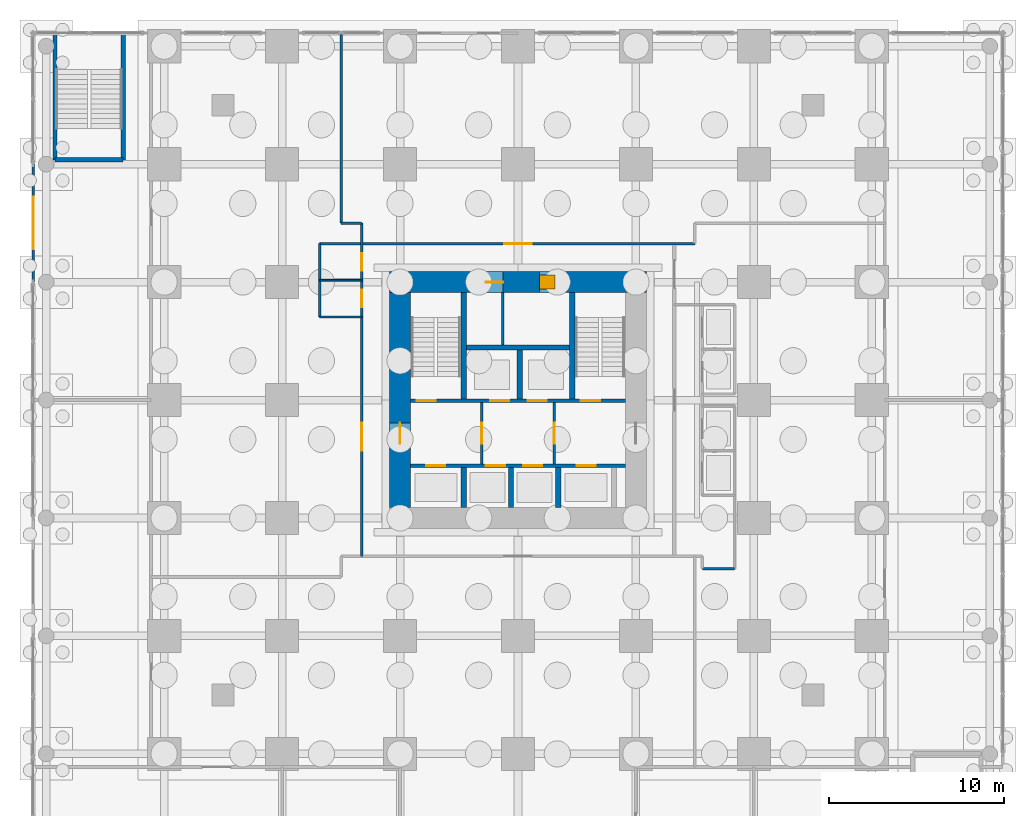
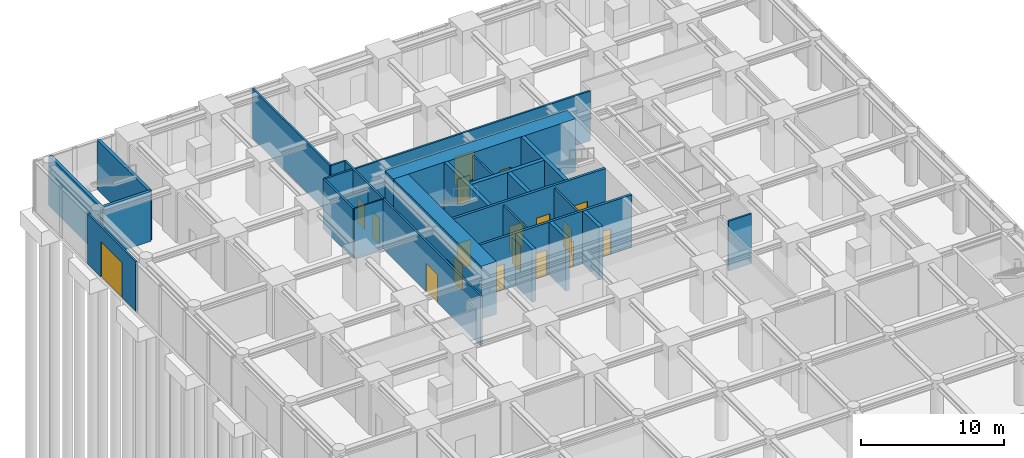
# One storey, part 10 of 14: 26 walls, 18 doors, 18 openings.
"""IFC4 building model written with IfcOpenShell, lengths in metres."""

from ifc_helpers import new_model, si_unit, direction, frame, frame_2d, origin, place, context, subcontext, project, spatial, rectangle, extrude, material, layer, layer_set, type_object, element, fill, save


model = new_model("IFC4")

# Units and contexts
model_context = context("Model", 3, precision=1e-05, world=origin(), true_north=direction((0.0, 1.0)))
body_context = subcontext(model_context, "Body", "Model", "MODEL_VIEW")
ifc_project = project(units=[si_unit("LENGTHUNIT", "METRE"), si_unit("AREAUNIT", "SQUARE_METRE"), si_unit("VOLUMEUNIT", "CUBIC_METRE"), si_unit("PLANEANGLEUNIT", "RADIAN"), si_unit("MASSUNIT", "GRAM", prefix="KILO")], contexts=[model_context])

# Site, building, storey
site_placement = place(None, origin())
site = spatial("IfcSite", under=ifc_project, at=site_placement, CompositionType="ELEMENT")
building_placement = place(site_placement, origin())
building = spatial("IfcBuilding", under=site, at=building_placement, Name="Nyansa Garden Tower", CompositionType="ELEMENT")
storey_placement = place(building_placement, origin())
storey = spatial("IfcBuildingStorey", under=building, at=storey_placement, Name="L00", CompositionType="ELEMENT", Elevation=0.0)

# Wall, opening, door
ifc_material_1 = material(Name="Black aluminium framed glazed screen", Category="aluminium")
ifc_layer_1 = layer(ifc_material_1, 0.14990234375)
ifc_layer_set_1 = layer_set([ifc_layer_1], Name="Balcony screen wall BW150")
wall_type_1 = type_object("IfcWallType", Name="Balcony screen wall BW150", PredefinedType="SOLIDWALL", material=ifc_layer_set_1)
wall_1_placement = place(storey_placement, frame((-7.5, 27.0, 0.0), z_axis=(0.0, 0.0, 1.0), x_axis=(0.0, 1.0, 0.0)))
wall_1 = element("IfcWall", 1, at=wall_1_placement, inside=storey, type_object=wall_type_1, Name="Glazed screen wall L00 W", PredefinedType="SOLIDWALL", context=body_context, shape_type="SweptSolid", body=[
    extrude(rectangle(XDim=6.75, YDim=0.14990234375, at=frame_2d((3.375, 0.0))), origin(), (0.0, 0.0, 1.0), 4.25),
])
opening_1_placement = place(wall_1_placement, frame((1.875, 0.0, 0.0)))
opening_1 = element("IfcOpeningElement", 2, at=opening_1_placement, cuts=wall_1, Name="Opening D40", PredefinedType="OPENING", context=body_context, shape_type="SweptSolid", body=[
    extrude(rectangle(XDim=3.0, YDim=3.0, at=frame_2d((1.5, 1.5))), frame((0.0, 0.0849609375, 0.0), z_axis=(0.0, -1.0, 0.0), x_axis=(1.0, 0.0, 0.0)), (0.0, 0.0, 1.0), 0.169921875),
])
ifc_material_2 = material(Name="Galvanised steel roller shutter, powder coated", Category="steel")
door_type_1 = type_object("IfcDoorType", Name="Service roller shutter D40 3000x3000", OperationType="ROLLINGUP", PredefinedType="DOOR", material=ifc_material_2)
door_1_placement = place(opening_1_placement, origin())
door_1 = element("IfcDoor", 3, at=door_1_placement, inside=storey, type_object=door_type_1, Name="Service roller shutter", OperationType="ROLLINGUP", OverallHeight=3.0, OverallWidth=3.0, PredefinedType="DOOR", context=body_context, shape_type="SweptSolid", body=[
    extrude(rectangle(XDim=3.0, YDim=3.0, at=frame_2d((1.5, 1.5))), frame((0.0, 0.02490234375, 0.0), z_axis=(0.0, -1.0, 0.0), x_axis=(1.0, 0.0, 0.0)), (0.0, 0.0, 1.0), 0.050048828125),
])
fill(opening_1, door_1)

# Wall, openings, doors
ifc_material_3 = material(Name="Concrete C70/85", Category="concrete")
ifc_layer_2 = layer(ifc_material_3, 0.199951171875)
ifc_layer_set_2 = layer_set([ifc_layer_2], Name="Core inner wall CI200")
wall_type_2 = type_object("IfcWallType", Name="Core inner wall CI200", PredefinedType="SHEAR", material=ifc_layer_set_2)
wall_2_placement = place(storey_placement, frame((14.10009765625, 16.5, 0.0), z_axis=(0.0, 0.0, 1.0), x_axis=(1.0, 0.0, 0.0)))
wall_2 = element("IfcWall", 4, at=wall_2_placement, inside=storey, type_object=wall_type_2, Name="Core inner wall L00", PredefinedType="SHEAR", context=body_context, shape_type="SweptSolid", body=[
    extrude(rectangle(XDim=12.2998046875, YDim=0.199951171875, at=frame_2d((6.14990234375, 0.0))), origin(), (0.0, 0.0, 1.0), 4.5),
])
opening_2_placement = place(wall_2_placement, frame((0.89990234375, 0.0, 0.0)))
opening_2 = element("IfcOpeningElement", 5, at=opening_2_placement, cuts=wall_2, Name="Opening LD-F", PredefinedType="OPENING", context=body_context, shape_type="SweptSolid", body=[
    extrude(rectangle(XDim=1.10009765625, YDim=2.199951171875, at=frame_2d((0.550048828125, 1.10009765625))), frame((0.0, 0.10986328125, 0.0), z_axis=(0.0, -1.0, 0.0), x_axis=(1.0, 0.0, 0.0)), (0.0, 0.0, 1.0), 0.219970703125),
])
opening_3_placement = place(wall_2_placement, frame((4.31005859375, 0.0, 0.0)))
opening_3 = element("IfcOpeningElement", 6, at=opening_3_placement, cuts=wall_2, Name="Opening LD-B", PredefinedType="OPENING", context=body_context, shape_type="SweptSolid", body=[
    extrude(rectangle(XDim=1.10009765625, YDim=2.199951171875, at=frame_2d((0.550048828125, 1.10009765625))), frame((0.0, 0.10986328125, 0.0), z_axis=(0.0, -1.0, 0.0), x_axis=(1.0, 0.0, 0.0)), (0.0, 0.0, 1.0), 0.219970703125),
])
opening_4_placement = place(wall_2_placement, frame((6.449951171875, 0.0, 0.0)))
opening_4 = element("IfcOpeningElement", 7, at=opening_4_placement, cuts=wall_2, Name="Opening LD-B", PredefinedType="OPENING", context=body_context, shape_type="SweptSolid", body=[
    extrude(rectangle(XDim=1.10009765625, YDim=2.199951171875, at=frame_2d((0.550048828125, 1.10009765625))), frame((0.0, 0.10986328125, 0.0), z_axis=(0.0, -1.0, 0.0), x_axis=(1.0, 0.0, 0.0)), (0.0, 0.0, 1.0), 0.219970703125),
])
opening_5_placement = place(wall_2_placement, frame((9.5, 0.0, 0.0)))
opening_5 = element("IfcOpeningElement", 8, at=opening_5_placement, cuts=wall_2, Name="Opening LD-F", PredefinedType="OPENING", context=body_context, shape_type="SweptSolid", body=[
    extrude(rectangle(XDim=1.10009765625, YDim=2.199951171875, at=frame_2d((0.550048828125, 1.10009765625))), frame((0.0, 0.10986328125, 0.0), z_axis=(0.0, -1.0, 0.0), x_axis=(1.0, 0.0, 0.0)), (0.0, 0.0, 1.0), 0.219970703125),
])
ifc_material_4 = material(Name="Stainless steel centre-opening landing door of the high-rise lift, E 120", Category="steel")
door_type_2 = type_object("IfcDoorType", Name="Lift landing door LD-B 1100x2200", OperationType="DOUBLE_DOOR_SLIDING", PredefinedType="DOOR", material=ifc_material_4)
door_2_placement = place(opening_3_placement, origin())
door_2 = element("IfcDoor", 9, at=door_2_placement, inside=storey, type_object=door_type_2, Name="Landing door B1", OperationType="DOUBLE_DOOR_SLIDING", OverallHeight=2.199951171875, OverallWidth=1.10009765625, PredefinedType="DOOR", context=body_context, shape_type="SweptSolid", body=[
    extrude(rectangle(XDim=1.10009765625, YDim=2.199951171875, at=frame_2d((0.550048828125, 1.10009765625))), frame((0.0, 0.02490234375, 0.0), z_axis=(0.0, -1.0, 0.0), x_axis=(1.0, 0.0, 0.0)), (0.0, 0.0, 1.0), 0.050048828125),
])
fill(opening_3, door_2)
door_3_placement = place(opening_4_placement, origin())
door_3 = element("IfcDoor", 10, at=door_3_placement, inside=storey, type_object=door_type_2, Name="Landing door B2", OperationType="DOUBLE_DOOR_SLIDING", OverallHeight=2.199951171875, OverallWidth=1.10009765625, PredefinedType="DOOR", context=body_context, shape_type="SweptSolid", body=[
    extrude(rectangle(XDim=1.10009765625, YDim=2.199951171875, at=frame_2d((0.550048828125, 1.10009765625))), frame((0.0, 0.02490234375, 0.0), z_axis=(0.0, -1.0, 0.0), x_axis=(1.0, 0.0, 0.0)), (0.0, 0.0, 1.0), 0.050048828125),
])
fill(opening_4, door_3)
ifc_material_5 = material(Name="Stainless steel centre-opening landing door of the firefighting lift, EN 81-72, E 120", Category="steel")
door_type_3 = type_object("IfcDoorType", Name="Lift landing door LD-F 1100x2200", OperationType="DOUBLE_DOOR_SLIDING", PredefinedType="DOOR", material=ifc_material_5)
door_4_placement = place(opening_2_placement, origin())
door_4 = element("IfcDoor", 11, at=door_4_placement, inside=storey, type_object=door_type_3, Name="Landing door FF1", OperationType="DOUBLE_DOOR_SLIDING", OverallHeight=2.199951171875, OverallWidth=1.10009765625, PredefinedType="DOOR", context=body_context, shape_type="SweptSolid", body=[
    extrude(rectangle(XDim=1.10009765625, YDim=2.199951171875, at=frame_2d((0.550048828125, 1.10009765625))), frame((0.0, 0.02490234375, 0.0), z_axis=(0.0, -1.0, 0.0), x_axis=(1.0, 0.0, 0.0)), (0.0, 0.0, 1.0), 0.050048828125),
])
fill(opening_2, door_4)
door_5_placement = place(opening_5_placement, origin())
door_5 = element("IfcDoor", 12, at=door_5_placement, inside=storey, type_object=door_type_3, Name="Landing door FF2", OperationType="DOUBLE_DOOR_SLIDING", OverallHeight=2.199951171875, OverallWidth=1.10009765625, PredefinedType="DOOR", context=body_context, shape_type="SweptSolid", body=[
    extrude(rectangle(XDim=1.10009765625, YDim=2.199951171875, at=frame_2d((0.550048828125, 1.10009765625))), frame((0.0, 0.02490234375, 0.0), z_axis=(0.0, -1.0, 0.0), x_axis=(1.0, 0.0, 0.0)), (0.0, 0.0, 1.0), 0.050048828125),
])
fill(opening_5, door_5)

wall_3_placement = place(storey_placement, frame((14.10009765625, 20.199951171875, 0.0), z_axis=(0.0, 0.0, 1.0), x_axis=(1.0, 0.0, 0.0)))
wall_3 = element("IfcWall", 13, at=wall_3_placement, inside=storey, type_object=wall_type_2, Name="Core inner wall L00", PredefinedType="SHEAR", context=body_context, shape_type="SweptSolid", body=[
    extrude(rectangle(XDim=12.2998046875, YDim=0.199951171875, at=frame_2d((6.14990234375, 0.0))), origin(), (0.0, 0.0, 1.0), 4.5),
])
opening_6_placement = place(wall_3_placement, frame((4.56005859375, 0.0, 0.0)))
opening_6 = element("IfcOpeningElement", 14, at=opening_6_placement, cuts=wall_3, Name="Opening LD-B", PredefinedType="OPENING", context=body_context, shape_type="SweptSolid", body=[
    extrude(rectangle(XDim=1.10009765625, YDim=2.199951171875, at=frame_2d((0.550048828125, 1.10009765625))), frame((0.0, 0.10986328125, 0.0), z_axis=(0.0, -1.0, 0.0), x_axis=(1.0, 0.0, 0.0)), (0.0, 0.0, 1.0), 0.219970703125),
])
opening_7_placement = place(wall_3_placement, frame((6.699951171875, 0.0, 0.0)))
opening_7 = element("IfcOpeningElement", 15, at=opening_7_placement, cuts=wall_3, Name="Opening LD-B", PredefinedType="OPENING", context=body_context, shape_type="SweptSolid", body=[
    extrude(rectangle(XDim=1.10009765625, YDim=2.199951171875, at=frame_2d((0.550048828125, 1.10009765625))), frame((0.0, 0.10986328125, 0.0), z_axis=(0.0, -1.0, 0.0), x_axis=(1.0, 0.0, 0.0)), (0.0, 0.0, 1.0), 0.219970703125),
])
opening_8_placement = place(wall_3_placement, frame((0.35009765625, 0.0, 0.0)))
opening_8 = element("IfcOpeningElement", 16, at=opening_8_placement, cuts=wall_3, Name="Opening D05", PredefinedType="OPENING", context=body_context, shape_type="SweptSolid", body=[
    extrude(rectangle(XDim=1.10009765625, YDim=2.199951171875, at=frame_2d((0.550048828125, 1.10009765625))), frame((0.0, 0.10986328125, 0.0), z_axis=(0.0, -1.0, 0.0), x_axis=(1.0, 0.0, 0.0)), (0.0, 0.0, 1.0), 0.219970703125),
])
opening_9_placement = place(wall_3_placement, frame((9.75, 0.0, 0.0)))
opening_9 = element("IfcOpeningElement", 17, at=opening_9_placement, cuts=wall_3, Name="Opening D05", PredefinedType="OPENING", context=body_context, shape_type="SweptSolid", body=[
    extrude(rectangle(XDim=1.10009765625, YDim=2.199951171875, at=frame_2d((0.550048828125, 1.10009765625))), frame((0.0, 0.10986328125, 0.0), z_axis=(0.0, -1.0, 0.0), x_axis=(1.0, 0.0, 0.0)), (0.0, 0.0, 1.0), 0.219970703125),
])
door_6_placement = place(opening_6_placement, origin())
door_6 = element("IfcDoor", 18, at=door_6_placement, inside=storey, type_object=door_type_2, Name="Landing door B3", OperationType="DOUBLE_DOOR_SLIDING", OverallHeight=2.199951171875, OverallWidth=1.10009765625, PredefinedType="DOOR", context=body_context, shape_type="SweptSolid", body=[
    extrude(rectangle(XDim=1.10009765625, YDim=2.199951171875, at=frame_2d((0.550048828125, 1.10009765625))), frame((0.0, 0.02490234375, 0.0), z_axis=(0.0, -1.0, 0.0), x_axis=(1.0, 0.0, 0.0)), (0.0, 0.0, 1.0), 0.050048828125),
])
fill(opening_6, door_6)
door_7_placement = place(opening_7_placement, origin())
door_7 = element("IfcDoor", 19, at=door_7_placement, inside=storey, type_object=door_type_2, Name="Landing door B4", OperationType="DOUBLE_DOOR_SLIDING", OverallHeight=2.199951171875, OverallWidth=1.10009765625, PredefinedType="DOOR", context=body_context, shape_type="SweptSolid", body=[
    extrude(rectangle(XDim=1.10009765625, YDim=2.199951171875, at=frame_2d((0.550048828125, 1.10009765625))), frame((0.0, 0.02490234375, 0.0), z_axis=(0.0, -1.0, 0.0), x_axis=(1.0, 0.0, 0.0)), (0.0, 0.0, 1.0), 0.050048828125),
])
fill(opening_7, door_7)
ifc_material_6 = material(Name="Steel door, 120 minute fire resisting", Category="steel")
door_type_4 = type_object("IfcDoorType", Name="Stair door D05 1100x2200", OperationType="SINGLE_SWING_LEFT", PredefinedType="DOOR", material=ifc_material_6)
door_8_placement = place(opening_8_placement, origin())
door_8 = element("IfcDoor", 20, at=door_8_placement, inside=storey, type_object=door_type_4, Name="Stair S1 door", OperationType="SINGLE_SWING_LEFT", OverallHeight=2.199951171875, OverallWidth=1.10009765625, PredefinedType="DOOR", context=body_context, shape_type="SweptSolid", body=[
    extrude(rectangle(XDim=1.10009765625, YDim=2.199951171875, at=frame_2d((0.550048828125, 1.10009765625))), frame((0.0, 0.02490234375, 0.0), z_axis=(0.0, -1.0, 0.0), x_axis=(1.0, 0.0, 0.0)), (0.0, 0.0, 1.0), 0.050048828125),
])
fill(opening_8, door_8)
door_9_placement = place(opening_9_placement, origin())
door_9 = element("IfcDoor", 21, at=door_9_placement, inside=storey, type_object=door_type_4, Name="Stair S2 door", OperationType="SINGLE_SWING_LEFT", OverallHeight=2.199951171875, OverallWidth=1.10009765625, PredefinedType="DOOR", context=body_context, shape_type="SweptSolid", body=[
    extrude(rectangle(XDim=1.10009765625, YDim=2.199951171875, at=frame_2d((0.550048828125, 1.10009765625))), frame((0.0, 0.02490234375, 0.0), z_axis=(0.0, -1.0, 0.0), x_axis=(1.0, 0.0, 0.0)), (0.0, 0.0, 1.0), 0.050048828125),
])
fill(opening_9, door_9)

# Walls
ifc_material_7 = material(Name="Concrete C70/85", Category="concrete")
ifc_layer_3 = layer(ifc_material_7, 0.300048828125)
ifc_layer_set_3 = layer_set([ifc_layer_3], Name="Core inner wall CI300")
wall_type_3 = type_object("IfcWallType", Name="Core inner wall CI300", PredefinedType="SHEAR", material=ifc_layer_set_3)
for number, where, z_axis, x_axis, name in (
    (22, (17.14990234375, 20.300048828125, 0.0), (0.0, 0.0, 1.0), (0.0, 1.0, 0.0), "Core inner wall L00"),
    (23, (23.35009765625, 20.300048828125, 0.0), (0.0, 0.0, 1.0), (0.0, 1.0, 0.0), "Core inner wall L00"),
):
    element("IfcWall", number, at=place(storey_placement, frame(where, z_axis=z_axis, x_axis=x_axis)), inside=storey, type_object=wall_type_3, Name=name, PredefinedType="SHEAR", context=body_context, shape_type="SweptSolid", body=[
        extrude(rectangle(XDim=6.099853515625, YDim=0.300048828125, at=frame_2d((3.0498046875, 0.0))), origin(), (0.0, 0.0, 1.0), 4.5),
    ])
wall_4_placement = place(storey_placement, frame((20.35009765625, 20.300048828125, 0.0), z_axis=(0.0, 0.0, 1.0), x_axis=(0.0, 1.0, 0.0)))
element("IfcWall", 24, at=wall_4_placement, inside=storey, type_object=wall_type_3, Name="Core inner wall L00", PredefinedType="SHEAR", context=body_context, shape_type="SweptSolid", body=[
    extrude(rectangle(XDim=2.800048828125, YDim=0.300048828125, at=frame_2d((1.39990234375, 0.0))), origin(), (0.0, 0.0, 1.0), 4.5),
])
wall_5_placement = place(storey_placement, frame((17.300048828125, 23.25, 0.0), z_axis=(0.0, 0.0, 1.0), x_axis=(1.0, 0.0, 0.0)))
element("IfcWall", 25, at=wall_5_placement, inside=storey, type_object=wall_type_3, Name="Core inner wall L00", PredefinedType="SHEAR", context=body_context, shape_type="SweptSolid", body=[
    extrude(rectangle(XDim=5.89990234375, YDim=0.300048828125, at=frame_2d((2.949951171875, 0.0))), origin(), (0.0, 0.0, 1.0), 4.5),
])
for number, where, z_axis, x_axis, name in (
    (26, (17.14990234375, 14.10009765625, 0.0), (0.0, 0.0, 1.0), (0.0, 1.0, 0.0), "Core inner wall L00"),
    (27, (19.85009765625, 14.10009765625, 0.0), (0.0, 0.0, 1.0), (0.0, 1.0, 0.0), "Core inner wall L00"),
    (28, (22.550048828125, 14.10009765625, 0.0), (0.0, 0.0, 1.0), (0.0, 1.0, 0.0), "Core inner wall L00"),
):
    element("IfcWall", number, at=place(storey_placement, frame(where, z_axis=z_axis, x_axis=x_axis)), inside=storey, type_object=wall_type_3, Name=name, PredefinedType="SHEAR", context=body_context, shape_type="SweptSolid", body=[
        extrude(rectangle(XDim=2.2998046875, YDim=0.300048828125, at=frame_2d((1.14990234375, 0.0))), origin(), (0.0, 0.0, 1.0), 4.5),
    ])

# Wall, openings, doors
ifc_material_8 = material(Name="Concrete C80/95", Category="concrete")
ifc_layer_4 = layer(ifc_material_8, 1.199951171875)
ifc_layer_set_4 = layer_set([ifc_layer_4], Name="Core wall CW1200")
wall_type_4 = type_object("IfcWallType", Name="Core wall CW1200", PredefinedType="SHEAR", material=ifc_layer_set_4)
wall_6_placement = place(storey_placement, frame((27.60009765625, 27.0, 0.0), z_axis=(0.0, 0.0, 1.0), x_axis=(-1.0, 0.0, 0.0)))
wall_6 = element("IfcWall", 29, at=wall_6_placement, inside=storey, type_object=wall_type_4, Name="Core wall N L00", PredefinedType="SHEAR", context=body_context, shape_type="SweptSolid", body=[
    extrude(rectangle(XDim=14.7001953125, YDim=1.199951171875, at=frame_2d((7.35009765625, 0.0))), origin(), (0.0, 0.0, 1.0), 4.5),
])
opening_10_placement = place(wall_6_placement, frame((5.22509765625, 0.0, 0.0)))
opening_10 = element("IfcOpeningElement", 30, at=opening_10_placement, cuts=wall_6, Name="Opening D15", PredefinedType="OPENING", context=body_context, shape_type="SweptSolid", body=[
    extrude(rectangle(XDim=0.89990234375, YDim=2.199951171875, at=frame_2d((0.449951171875, 1.10009765625))), frame((0.0, 0.60986328125, 0.0), z_axis=(0.0, -1.0, 0.0), x_axis=(1.0, 0.0, 0.0)), (0.0, 0.0, 1.0), 1.219970703125),
])
opening_11_placement = place(wall_6_placement, frame((8.199951171875, 0.0, 0.0)))
opening_11 = element("IfcOpeningElement", 31, at=opening_11_placement, cuts=wall_6, Name="Opening D07", PredefinedType="OPENING", context=body_context, shape_type="SweptSolid", body=[
    extrude(rectangle(XDim=1.0, YDim=2.199951171875, at=frame_2d((0.5, 1.10009765625))), frame((0.0, 0.60986328125, 0.0), z_axis=(0.0, -1.0, 0.0), x_axis=(1.0, 0.0, 0.0)), (0.0, 0.0, 1.0), 1.219970703125),
])
ifc_material_9 = material(Name="Timber flush door, 60 minute fire resisting, self-closing", Category="wood")
door_type_5 = type_object("IfcDoorType", Name="Core room door D15 900x2200", OperationType="SINGLE_SWING_LEFT", PredefinedType="DOOR", material=ifc_material_9)
door_10_placement = place(opening_10_placement, origin())
door_10 = element("IfcDoor", 32, at=door_10_placement, inside=storey, type_object=door_type_5, Name="Core room door", OperationType="SINGLE_SWING_LEFT", OverallHeight=2.199951171875, OverallWidth=0.89990234375, PredefinedType="DOOR", context=body_context, shape_type="SweptSolid", body=[
    extrude(rectangle(XDim=0.89990234375, YDim=2.199951171875, at=frame_2d((0.449951171875, 1.10009765625))), frame((0.0, 0.39990234375, 0.0), z_axis=(0.0, -1.0, 0.0), x_axis=(1.0, 0.0, 0.0)), (0.0, 0.0, 1.0), 0.800048828125),
])
fill(opening_10, door_10)
ifc_material_10 = material(Name="Steel door, 120 minute fire resisting", Category="steel")
door_type_6 = type_object("IfcDoorType", Name="Riser door D07 1000x2200", OperationType="SINGLE_SWING_LEFT", PredefinedType="DOOR", material=ifc_material_10)
door_11_placement = place(opening_11_placement, origin())
door_11 = element("IfcDoor", 33, at=door_11_placement, inside=storey, type_object=door_type_6, Name="Riser and refuse room door", OperationType="SINGLE_SWING_LEFT", OverallHeight=2.199951171875, OverallWidth=1.0, PredefinedType="DOOR", context=body_context, shape_type="SweptSolid", body=[
    extrude(rectangle(XDim=1.0, YDim=2.199951171875, at=frame_2d((0.5, 1.10009765625))), frame((0.0, 0.02490234375, 0.0), z_axis=(0.0, -1.0, 0.0), x_axis=(1.0, 0.0, 0.0)), (0.0, 0.0, 1.0), 0.050048828125),
])
fill(opening_11, door_11)

# Wall, opening, door
wall_7_placement = place(storey_placement, frame((13.5, 26.39990234375, 0.0), z_axis=(0.0, 0.0, 1.0), x_axis=(0.0, -1.0, 0.0)))
wall_7 = element("IfcWall", 34, at=wall_7_placement, inside=storey, type_object=wall_type_4, Name="Core wall W L00", PredefinedType="SHEAR", context=body_context, shape_type="SweptSolid", body=[
    extrude(rectangle(XDim=12.2998046875, YDim=1.199951171875, at=frame_2d((6.14990234375, 0.0))), origin(), (0.0, 0.0, 1.0), 4.5),
])
opening_12_placement = place(wall_7_placement, frame((7.449951171875, 0.0, 0.0)))
opening_12 = element("IfcOpeningElement", 35, at=opening_12_placement, cuts=wall_7, Name="Opening D06", PredefinedType="OPENING", context=body_context, shape_type="SweptSolid", body=[
    extrude(rectangle(XDim=1.199951171875, YDim=2.199951171875, at=frame_2d((0.60009765625, 1.10009765625))), frame((0.0, 0.60986328125, 0.0), z_axis=(0.0, -1.0, 0.0), x_axis=(1.0, 0.0, 0.0)), (0.0, 0.0, 1.0), 1.219970703125),
])
ifc_material_11 = material(Name="Steel door, 120 minute fire resisting", Category="steel")
door_type_7 = type_object("IfcDoorType", Name="Lobby door D06 1200x2200", OperationType="DOUBLE_DOOR_SINGLE_SWING", PredefinedType="DOOR", material=ifc_material_11)
door_12_placement = place(opening_12_placement, origin())
door_12 = element("IfcDoor", 36, at=door_12_placement, inside=storey, type_object=door_type_7, Name="Lift lobby door west", OperationType="DOUBLE_DOOR_SINGLE_SWING", OverallHeight=2.199951171875, OverallWidth=1.199951171875, PredefinedType="DOOR", context=body_context, shape_type="SweptSolid", body=[
    extrude(rectangle(XDim=1.199951171875, YDim=2.199951171875, at=frame_2d((0.60009765625, 1.10009765625))), frame((0.0, 0.02490234375, 0.0), z_axis=(0.0, -1.0, 0.0), x_axis=(1.0, 0.0, 0.0)), (0.0, 0.0, 1.0), 0.050048828125),
])
fill(opening_12, door_12)

ifc_material_12 = material(Name="Blockwork, plastered both sides", Category="masonry")
ifc_layer_5 = layer(ifc_material_12, 0.14990234375)
ifc_layer_set_5 = layer_set([ifc_layer_5], Name="Partition PW150")
wall_type_5 = type_object("IfcWallType", Name="Partition PW150", PredefinedType="PARTITIONING", material=ifc_layer_set_5)
wall_8_placement = place(storey_placement, frame((18.18505859375, 16.60009765625, 0.0), z_axis=(0.0, 0.0, 1.0), x_axis=(0.0, 1.0, 0.0)))
wall_8 = element("IfcWall", 37, at=wall_8_placement, inside=storey, type_object=wall_type_5, Name="Partition", PredefinedType="PARTITIONING", context=body_context, shape_type="SweptSolid", body=[
    extrude(rectangle(XDim=3.5, YDim=0.14990234375, at=frame_2d((1.75, 0.0))), origin(), (0.0, 0.0, 1.0), 4.25),
])
opening_13_placement = place(wall_8_placement, frame((1.14990234375, 0.0, 0.0)))
opening_13 = element("IfcOpeningElement", 38, at=opening_13_placement, cuts=wall_8, Name="Opening D06", PredefinedType="OPENING", context=body_context, shape_type="SweptSolid", body=[
    extrude(rectangle(XDim=1.199951171875, YDim=2.199951171875, at=frame_2d((0.60009765625, 1.10009765625))), frame((0.0, 0.0849609375, 0.0), z_axis=(0.0, -1.0, 0.0), x_axis=(1.0, 0.0, 0.0)), (0.0, 0.0, 1.0), 0.169921875),
])
door_13_placement = place(opening_13_placement, origin())
door_13 = element("IfcDoor", 39, at=door_13_placement, inside=storey, type_object=door_type_7, Name="Passenger lift lobby door", OperationType="DOUBLE_DOOR_SINGLE_SWING", OverallHeight=2.199951171875, OverallWidth=1.199951171875, PredefinedType="DOOR", context=body_context, shape_type="SweptSolid", body=[
    extrude(rectangle(XDim=1.199951171875, YDim=2.199951171875, at=frame_2d((0.60009765625, 1.10009765625))), frame((0.0, 0.02490234375, 0.0), z_axis=(0.0, -1.0, 0.0), x_axis=(1.0, 0.0, 0.0)), (0.0, 0.0, 1.0), 0.050048828125),
])
fill(opening_13, door_13)

wall_9_placement = place(storey_placement, frame((22.31494140625, 16.60009765625, 0.0), z_axis=(0.0, 0.0, 1.0), x_axis=(0.0, 1.0, 0.0)))
wall_9 = element("IfcWall", 40, at=wall_9_placement, inside=storey, type_object=wall_type_5, Name="Partition", PredefinedType="PARTITIONING", context=body_context, shape_type="SweptSolid", body=[
    extrude(rectangle(XDim=3.5, YDim=0.14990234375, at=frame_2d((1.75, 0.0))), origin(), (0.0, 0.0, 1.0), 4.25),
])
opening_14_placement = place(wall_9_placement, frame((1.14990234375, 0.0, 0.0)))
opening_14 = element("IfcOpeningElement", 41, at=opening_14_placement, cuts=wall_9, Name="Opening D06", PredefinedType="OPENING", context=body_context, shape_type="SweptSolid", body=[
    extrude(rectangle(XDim=1.199951171875, YDim=2.199951171875, at=frame_2d((0.60009765625, 1.10009765625))), frame((0.0, 0.0849609375, 0.0), z_axis=(0.0, -1.0, 0.0), x_axis=(1.0, 0.0, 0.0)), (0.0, 0.0, 1.0), 0.169921875),
])
door_14_placement = place(opening_14_placement, origin())
door_14 = element("IfcDoor", 42, at=door_14_placement, inside=storey, type_object=door_type_7, Name="Passenger lift lobby door", OperationType="DOUBLE_DOOR_SINGLE_SWING", OverallHeight=2.199951171875, OverallWidth=1.199951171875, PredefinedType="DOOR", context=body_context, shape_type="SweptSolid", body=[
    extrude(rectangle(XDim=1.199951171875, YDim=2.199951171875, at=frame_2d((0.60009765625, 1.10009765625))), frame((0.0, 0.02490234375, 0.0), z_axis=(0.0, -1.0, 0.0), x_axis=(1.0, 0.0, 0.0)), (0.0, 0.0, 1.0), 0.050048828125),
])
fill(opening_14, door_14)

# Walls
wall_10_placement = place(storey_placement, frame((19.375, 23.39990234375, 0.0), z_axis=(0.0, 0.0, 1.0), x_axis=(0.0, 1.0, 0.0)))
element("IfcWall", 43, at=wall_10_placement, inside=storey, type_object=wall_type_5, Name="Partition", PredefinedType="PARTITIONING", context=body_context, shape_type="SweptSolid", body=[
    extrude(rectangle(XDim=3.0, YDim=0.14990234375, at=frame_2d((1.5, 0.0))), origin(), (0.0, 0.0, 1.0), 4.25),
])
wall_11_placement = place(storey_placement, frame((8.89990234375, 25.0, 0.0), z_axis=(0.0, 0.0, 1.0), x_axis=(0.0, 1.0, 0.0)))
element("IfcWall", 44, at=wall_11_placement, inside=storey, type_object=wall_type_5, Name="Partition", PredefinedType="PARTITIONING", context=body_context, shape_type="SweptSolid", body=[
    extrude(rectangle(XDim=4.199951171875, YDim=0.14990234375, at=frame_2d((2.10009765625, 0.0))), origin(), (0.0, 0.0, 1.0), 4.25),
])

# Wall, opening, door
wall_12_placement = place(storey_placement, frame((8.89990234375, 29.199951171875, 0.0), z_axis=(0.0, 0.0, 1.0), x_axis=(1.0, 0.0, 0.0)))
wall_12 = element("IfcWall", 45, at=wall_12_placement, inside=storey, type_object=wall_type_5, Name="Partition", PredefinedType="PARTITIONING", context=body_context, shape_type="SweptSolid", body=[
    extrude(rectangle(XDim=21.47509765625, YDim=0.14990234375, at=frame_2d((10.737548828125, 0.0))), origin(), (0.0, 0.0, 1.0), 4.25),
])
opening_15_placement = place(wall_12_placement, frame((10.550048828125, 0.0, 0.0)))
opening_15 = element("IfcOpeningElement", 46, at=opening_15_placement, cuts=wall_12, Name="Opening D12", PredefinedType="OPENING", context=body_context, shape_type="SweptSolid", body=[
    extrude(rectangle(XDim=1.60009765625, YDim=2.39990234375, at=frame_2d((0.800048828125, 1.199951171875))), frame((0.0, 0.0849609375, 0.0), z_axis=(0.0, -1.0, 0.0), x_axis=(1.0, 0.0, 0.0)), (0.0, 0.0, 1.0), 0.169921875),
])
ifc_material_13 = material(Name="Black aluminium glazed door, 60 minute fire resisting", Category="aluminium")
door_type_8 = type_object("IfcDoorType", Name="Amenity door D12 1600x2400", OperationType="DOUBLE_DOOR_SINGLE_SWING", PredefinedType="DOOR", material=ifc_material_13)
door_15_placement = place(opening_15_placement, origin())
door_15 = element("IfcDoor", 47, at=door_15_placement, inside=storey, type_object=door_type_8, Name="Door L00-022", OperationType="DOUBLE_DOOR_SINGLE_SWING", OverallHeight=2.39990234375, OverallWidth=1.60009765625, PredefinedType="DOOR", context=body_context, shape_type="SweptSolid", body=[
    extrude(rectangle(XDim=1.60009765625, YDim=2.39990234375, at=frame_2d((0.800048828125, 1.199951171875))), frame((0.0, 0.02490234375, 0.0), z_axis=(0.0, -1.0, 0.0), x_axis=(1.0, 0.0, 0.0)), (0.0, 0.0, 1.0), 0.050048828125),
])
fill(opening_15, door_15)

# Walls
wall_13_placement = place(storey_placement, frame((10.125, 30.375, 0.0), z_axis=(0.0, 0.0, 1.0), x_axis=(0.0, 1.0, 0.0)))
element("IfcWall", 48, at=wall_13_placement, inside=storey, type_object=wall_type_5, Name="Partition", PredefinedType="PARTITIONING", context=body_context, shape_type="SweptSolid", body=[
    extrude(rectangle(XDim=10.85888671875, YDim=0.14990234375, at=frame_2d((5.429443359375, 0.0))), origin(), (0.0, 0.0, 1.0), 4.25),
])
wall_14_placement = place(storey_placement, frame((10.125, 30.375, 0.0), z_axis=(0.0, 0.0, 1.0), x_axis=(1.0, 0.0, 0.0)))
element("IfcWall", 49, at=wall_14_placement, inside=storey, type_object=wall_type_5, Name="Partition", PredefinedType="PARTITIONING", context=body_context, shape_type="SweptSolid", body=[
    extrude(rectangle(XDim=1.175048828125, YDim=0.14990234375, at=frame_2d((0.58740234375, 0.0))), origin(), (0.0, 0.0, 1.0), 4.25),
])

# Wall, openings, doors
wall_15_placement = place(storey_placement, frame((11.300048828125, 11.300048828125, 0.0), z_axis=(0.0, 0.0, 1.0), x_axis=(0.0, 1.0, 0.0)))
wall_15 = element("IfcWall", 50, at=wall_15_placement, inside=storey, type_object=wall_type_5, Name="Partition", PredefinedType="PARTITIONING", context=body_context, shape_type="SweptSolid", body=[
    extrude(rectangle(XDim=19.074951171875, YDim=0.14990234375, at=frame_2d((9.53759765625, 0.0))), origin(), (0.0, 0.0, 1.0), 4.25),
])
opening_16_placement = place(wall_15_placement, frame((14.25, 0.0, 0.0)))
opening_16 = element("IfcOpeningElement", 51, at=opening_16_placement, cuts=wall_15, Name="Opening D08", PredefinedType="OPENING", context=body_context, shape_type="SweptSolid", body=[
    extrude(rectangle(XDim=1.0, YDim=2.199951171875, at=frame_2d((0.5, 1.10009765625))), frame((0.0, 0.0849609375, 0.0), z_axis=(0.0, -1.0, 0.0), x_axis=(1.0, 0.0, 0.0)), (0.0, 0.0, 1.0), 0.169921875),
])
opening_17_placement = place(wall_15_placement, frame((16.35009765625, 0.0, 0.0)))
opening_17 = element("IfcOpeningElement", 52, at=opening_17_placement, cuts=wall_15, Name="Opening D08", PredefinedType="OPENING", context=body_context, shape_type="SweptSolid", body=[
    extrude(rectangle(XDim=1.0, YDim=2.199951171875, at=frame_2d((0.5, 1.10009765625))), frame((0.0, 0.0849609375, 0.0), z_axis=(0.0, -1.0, 0.0), x_axis=(1.0, 0.0, 0.0)), (0.0, 0.0, 1.0), 0.169921875),
])
opening_18_placement = place(wall_15_placement, frame((6.050048828125, 0.0, 0.0)))
opening_18 = element("IfcOpeningElement", 53, at=opening_18_placement, cuts=wall_15, Name="Opening D12", PredefinedType="OPENING", context=body_context, shape_type="SweptSolid", body=[
    extrude(rectangle(XDim=1.60009765625, YDim=2.39990234375, at=frame_2d((0.800048828125, 1.199951171875))), frame((0.0, 0.0849609375, 0.0), z_axis=(0.0, -1.0, 0.0), x_axis=(1.0, 0.0, 0.0)), (0.0, 0.0, 1.0), 0.169921875),
])
ifc_material_14 = material(Name="Timber flush door, outward opening", Category="wood")
door_type_9 = type_object("IfcDoorType", Name="Accessible WC door D08 1000x2200", OperationType="SINGLE_SWING_LEFT", PredefinedType="DOOR", material=ifc_material_14)
door_16_placement = place(opening_16_placement, origin())
door_16 = element("IfcDoor", 54, at=door_16_placement, inside=storey, type_object=door_type_9, Name="Door L00-023", OperationType="SINGLE_SWING_LEFT", OverallHeight=2.199951171875, OverallWidth=1.0, PredefinedType="DOOR", context=body_context, shape_type="SweptSolid", body=[
    extrude(rectangle(XDim=1.0, YDim=2.199951171875, at=frame_2d((0.5, 1.10009765625))), frame((0.0, 0.02490234375, 0.0), z_axis=(0.0, -1.0, 0.0), x_axis=(1.0, 0.0, 0.0)), (0.0, 0.0, 1.0), 0.050048828125),
])
fill(opening_16, door_16)
door_17_placement = place(opening_17_placement, origin())
door_17 = element("IfcDoor", 55, at=door_17_placement, inside=storey, type_object=door_type_9, Name="Door L00-024", OperationType="SINGLE_SWING_LEFT", OverallHeight=2.199951171875, OverallWidth=1.0, PredefinedType="DOOR", context=body_context, shape_type="SweptSolid", body=[
    extrude(rectangle(XDim=1.0, YDim=2.199951171875, at=frame_2d((0.5, 1.10009765625))), frame((0.0, 0.02490234375, 0.0), z_axis=(0.0, -1.0, 0.0), x_axis=(1.0, 0.0, 0.0)), (0.0, 0.0, 1.0), 0.050048828125),
])
fill(opening_17, door_17)
door_18_placement = place(opening_18_placement, origin())
door_18 = element("IfcDoor", 56, at=door_18_placement, inside=storey, type_object=door_type_8, Name="Door L00-025", OperationType="DOUBLE_DOOR_SINGLE_SWING", OverallHeight=2.39990234375, OverallWidth=1.60009765625, PredefinedType="DOOR", context=body_context, shape_type="SweptSolid", body=[
    extrude(rectangle(XDim=1.60009765625, YDim=2.39990234375, at=frame_2d((0.800048828125, 1.199951171875))), frame((0.0, 0.02490234375, 0.0), z_axis=(0.0, -1.0, 0.0), x_axis=(1.0, 0.0, 0.0)), (0.0, 0.0, 1.0), 0.050048828125),
])
fill(opening_18, door_18)

# Walls
wall_16_placement = place(storey_placement, frame((30.800048828125, 10.60009765625, 0.0), z_axis=(0.0, 0.0, 1.0), x_axis=(1.0, 0.0, 0.0)))
element("IfcWall", 57, at=wall_16_placement, inside=storey, type_object=wall_type_5, Name="Partition", PredefinedType="PARTITIONING", context=body_context, shape_type="SweptSolid", body=[
    extrude(rectangle(XDim=1.849853515625, YDim=0.14990234375, at=frame_2d((0.9248046875, 0.0))), origin(), (0.0, 0.0, 1.0), 4.25),
])
ifc_material_15 = material(Name="Reinforced blockwork, 120 minute fire resisting", Category="masonry")
ifc_layer_6 = layer(ifc_material_15, 0.25)
ifc_layer_set_6 = layer_set([ifc_layer_6], Name="Stair enclosure wall SW250")
wall_type_6 = type_object("IfcWallType", Name="Stair enclosure wall SW250", PredefinedType="SOLIDWALL", material=ifc_layer_set_6)
wall_17_placement = place(storey_placement, frame((-6.25, 34.0, 0.0), z_axis=(0.0, 0.0, 1.0), x_axis=(0.0, 1.0, 0.0)))
element("IfcWall", 58, at=wall_17_placement, inside=storey, type_object=wall_type_6, Name="Stair enclosure wall", PredefinedType="SOLIDWALL", context=body_context, shape_type="SweptSolid", body=[
    extrude(rectangle(XDim=7.23388671875, YDim=0.25, at=frame_2d((3.616943359375, 0.0))), origin(), (0.0, 0.0, 1.0), 4.25),
])
wall_18_placement = place(storey_placement, frame((-6.25, 34.0, 0.0), z_axis=(0.0, 0.0, 1.0), x_axis=(1.0, 0.0, 0.0)))
element("IfcWall", 59, at=wall_18_placement, inside=storey, type_object=wall_type_6, Name="Stair enclosure wall", PredefinedType="SOLIDWALL", context=body_context, shape_type="SweptSolid", body=[
    extrude(rectangle(XDim=3.89990234375, YDim=0.25, at=frame_2d((1.949951171875, 0.0))), origin(), (0.0, 0.0, 1.0), 4.25),
])
wall_19_placement = place(storey_placement, frame((-2.35009765625, 34.0, 0.0), z_axis=(0.0, 0.0, 1.0), x_axis=(0.0, 1.0, 0.0)))
element("IfcWall", 60, at=wall_19_placement, inside=storey, type_object=wall_type_6, Name="Stair enclosure wall", PredefinedType="SOLIDWALL", context=body_context, shape_type="SweptSolid", body=[
    extrude(rectangle(XDim=7.23388671875, YDim=0.25, at=frame_2d((3.616943359375, 0.0))), origin(), (0.0, 0.0, 1.0), 4.25),
])
ifc_material_16 = material(Name="Moisture resistant board on steel studs, tiled", Category="steel")
ifc_layer_7 = layer(ifc_material_16, 0.10009765625)
ifc_layer_set_7 = layer_set([ifc_layer_7], Name="Wet wall PW100")
wall_type_7 = type_object("IfcWallType", Name="Wet wall PW100", PredefinedType="PARTITIONING", material=ifc_layer_set_7)
wall_20_placement = place(storey_placement, frame((8.89990234375, 25.0, 0.0), z_axis=(0.0, 0.0, 1.0), x_axis=(1.0, 0.0, 0.0)))
element("IfcWall", 61, at=wall_20_placement, inside=storey, type_object=wall_type_7, Name="Wet wall", PredefinedType="PARTITIONING", context=body_context, shape_type="SweptSolid", body=[
    extrude(rectangle(XDim=2.400146484375, YDim=0.10009765625, at=frame_2d((1.2001953125, 0.0))), origin(), (0.0, 0.0, 1.0), 4.25),
])
wall_21_placement = place(storey_placement, frame((8.89990234375, 27.10009765625, 0.0), z_axis=(0.0, 0.0, 1.0), x_axis=(1.0, 0.0, 0.0)))
element("IfcWall", 62, at=wall_21_placement, inside=storey, type_object=wall_type_7, Name="Wet wall", PredefinedType="PARTITIONING", context=body_context, shape_type="SweptSolid", body=[
    extrude(rectangle(XDim=2.400146484375, YDim=0.10009765625, at=frame_2d((1.2001953125, 0.0))), origin(), (0.0, 0.0, 1.0), 3.751953125),
])

save(model, "model.ifc")
